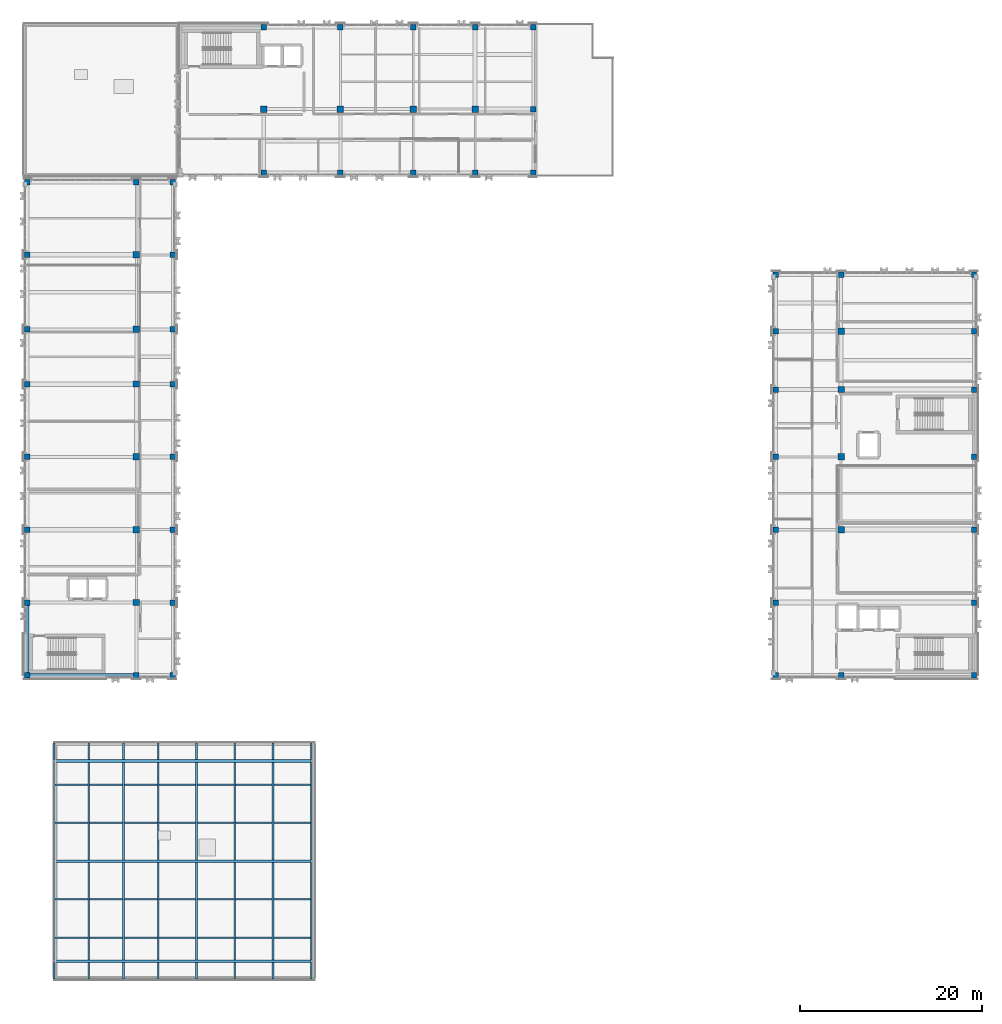
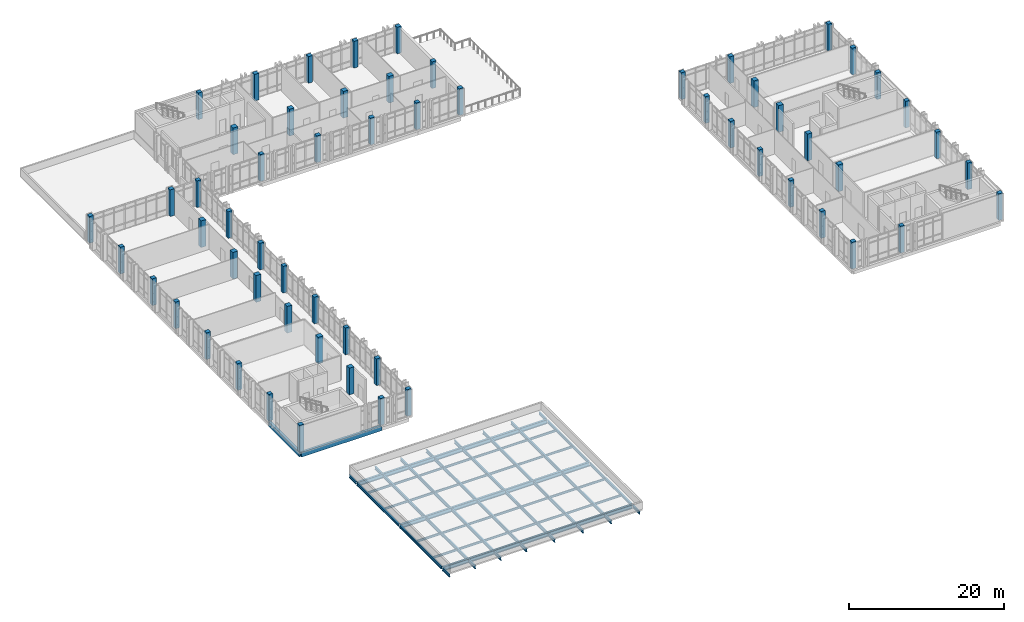
# One storey, part 1 of 90: 65 beams, 59 columns.
"""IFC4 building model written with IfcOpenShell, lengths in metres."""

import ifcopenshell
import ifcopenshell.guid

model = None  # the IFC model being written
_history = None  # IfcOwnerHistory: only IFC2X3 demands one
_inside = {}  # id of a spatial element -> (the spatial element, [elements in it])
_under = {}  # id of a project, library or spatial element -> (it, [spatial elements below it])
_declared = {}  # id of a project -> (the project, [libraries it declares])
_typed = {}  # id of a type object -> (the type object, [elements of that type])
_made_of = {}  # id of a material, layer set ... -> (it, [elements and type objects made of it])


def new_model(schema):
    """Start an empty IFC model of exactly this schema.

    Asked for "IFC4X3", IfcOpenShell would pick the latest addendum, in which some entities
    have other attributes; the version numbers below select the first issue.
    IFC2X3 requires an IfcOwnerHistory on every rooted entity: one is made here for all.
    """
    global model, _history
    if schema == "IFC4X3":
        model = ifcopenshell.file(schema_version=(4, 3, 0, 0))
    else:
        model = ifcopenshell.file(schema=schema)
    _inside.clear()
    _under.clear()
    _declared.clear()
    _typed.clear()
    _made_of.clear()
    _history = None
    if model.schema == "IFC2X3":
        org = make("IfcOrganization", Name="unknown")
        user = make(
            "IfcPersonAndOrganization",
            ThePerson=make("IfcPerson", FamilyName="unknown"),
            TheOrganization=org,
        )
        app = make(
            "IfcApplication",
            ApplicationDeveloper=org,
            Version="unknown",
            ApplicationFullName="unknown",
            ApplicationIdentifier="unknown",
        )
        _history = make(
            "IfcOwnerHistory",
            OwningUser=user,
            OwningApplication=app,
            ChangeAction="ADDED",
            CreationDate=0,
        )
    return model


def make(cls, **values):
    """One entity of the class cls with the attributes given. An attribute that is None is left unset."""
    return model.create_entity(
        cls, **{name: value for name, value in values.items() if value is not None}
    )


def rooted(cls, **values):
    """An entity with a GlobalId (a new one), such as an element, a storey or a relation."""
    return make(cls, GlobalId=ifcopenshell.guid.new(), OwnerHistory=_history, **values)


def si_unit(unit_type, name, prefix=None):
    """IfcSIUnit, for example si_unit("LENGTHUNIT", "METRE", prefix="MILLI")."""
    return make("IfcSIUnit", UnitType=unit_type, Prefix=prefix, Name=name)


def assignment(units):
    """IfcUnitAssignment: the units of a project."""
    return None if units is None else make("IfcUnitAssignment", Units=units)


def point(xyz):
    """IfcCartesianPoint."""
    return None if xyz is None else make("IfcCartesianPoint", Coordinates=xyz)


def direction(xyz):
    """IfcDirection."""
    return None if xyz is None else make("IfcDirection", DirectionRatios=xyz)


def frame(location, z_axis=None, x_axis=None):
    """IfcAxis2Placement3D, a coordinate frame: its origin and axes. An axis left out is left unset."""
    return make(
        "IfcAxis2Placement3D",
        Location=point(location),
        Axis=direction(z_axis),
        RefDirection=direction(x_axis),
    )


def frame_2d(location, x_axis=None):
    """IfcAxis2Placement2D, a coordinate frame in the plane: its origin and x axis."""
    return make(
        "IfcAxis2Placement2D", Location=point(location), RefDirection=direction(x_axis)
    )


def origin():
    """The frame at (0, 0, 0) with its axes left unset."""
    return frame((0.0, 0.0, 0.0))


def origin_2d():
    """The frame at (0, 0) in the plane with its x axis left unset."""
    return frame_2d((0.0, 0.0))


def place(relative_to, where):
    """IfcLocalPlacement: puts the frame where relative to a parent placement (None: the world)."""
    return make(
        "IfcLocalPlacement", PlacementRelTo=relative_to, RelativePlacement=where
    )


def context(
    kind, dimensions, precision=None, world=None, true_north=None, identifier=None
):
    """IfcGeometricRepresentationContext, for example the 3D "Model" context."""
    return make(
        "IfcGeometricRepresentationContext",
        ContextIdentifier=identifier,
        ContextType=kind,
        CoordinateSpaceDimension=dimensions,
        Precision=precision,
        WorldCoordinateSystem=world,
        TrueNorth=true_north,
    )


def subcontext(parent, identifier, kind, view, scale=None):
    """IfcGeometricRepresentationSubContext, for example "Body" below "Model"."""
    return make(
        "IfcGeometricRepresentationSubContext",
        ContextIdentifier=identifier,
        ContextType=kind,
        ParentContext=parent,
        TargetScale=scale,
        TargetView=view,
    )


def project(units=None, contexts=None):
    """IfcProject with its units and contexts."""
    return rooted(
        "IfcProject",
        Name="project",
        RepresentationContexts=contexts,
        UnitsInContext=assignment(units),
    )


def spatial(cls, under=None, at=None, **own):
    """A site, building, storey or space (cls), placed at a placement, below another one or the project."""
    s = rooted(cls, ObjectPlacement=at, **own)
    if under is not None:
        _under.setdefault(under.id(), (under, []))[1].append(s)
    return s


def profile(cls, at=None, kind="AREA", **sizes):
    """A parametric profile (cls). Its sizes go by their IFC names, for example OverallWidth=200.0."""
    return make(cls, ProfileType=kind, Position=at, **sizes)


def rectangle(**sizes):
    """IfcRectangleProfileDef."""
    return profile("IfcRectangleProfileDef", **sizes)


def i_section(**sizes):
    """IfcIShapeProfileDef."""
    return profile("IfcIShapeProfileDef", **sizes)


def extrude(swept, where, along, depth):
    """IfcExtrudedAreaSolid: the profile swept, set in the frame where, extruded along a direction by depth."""
    return make(
        "IfcExtrudedAreaSolid",
        SweptArea=swept,
        Position=where,
        ExtrudedDirection=direction(along),
        Depth=depth,
    )


def shape(context_of_items, identifier, shape_type, items):
    """IfcShapeRepresentation: the items that make up one representation, for example the "Body"."""
    return make(
        "IfcShapeRepresentation",
        ContextOfItems=context_of_items,
        RepresentationIdentifier=identifier,
        RepresentationType=shape_type,
        Items=items,
    )


def material(Name=None, Category=None):
    """IfcMaterial."""
    return make("IfcMaterial", Name=Name, Category=Category)


def material_profile(
    of_material, cross_section, Name=None, Category=None, Priority=None
):
    """IfcMaterialProfile: a cross section and its material."""
    return make(
        "IfcMaterialProfile",
        Name=Name,
        Material=of_material,
        Profile=cross_section,
        Priority=Priority,
        Category=Category,
    )


def profile_set(profiles, Name=None, composite=None):
    """IfcMaterialProfileSet."""
    return make(
        "IfcMaterialProfileSet",
        Name=Name,
        MaterialProfiles=profiles,
        CompositeProfile=composite,
    )


def made_of(thing, what):
    """Note that an element or type object is made of a material, layer set ...; save() writes the relation."""
    if what is not None:
        _made_of.setdefault(what.id(), (what, []))[1].append(thing)
    return thing


def type_object(cls, material=None, **own):
    """A type object (cls), such as IfcWallType, which elements share."""
    return made_of(rooted(cls, **own), material)


def element(
    cls,
    number,
    at=None,
    inside=None,
    cuts=None,
    type_object=None,
    material=None,
    context=None,
    identifier="Body",
    shape_type=None,
    held_by="IfcProductDefinitionShape",
    body=None,
    shapes=None,
    **own,
):
    """One element of the class cls, such as IfcWall. Its Tag is "e" and its number.

    at: its placement. inside: the storey or other place that contains it. cuts: it is an
    opening in that element (IfcRelVoidsElement). A single representation is given by context,
    identifier, shape_type and body (its items); several are given by shapes. held_by: the class
    of the entity that holds the representations. save() writes the other relations.
    """
    e = rooted(cls, Tag="e%d" % number, ObjectPlacement=at, **own)
    if body is not None:
        shapes = [shape(context, identifier, shape_type, body)]
    if shapes is not None:
        e.Representation = make(held_by, Representations=shapes)
    if inside is not None:
        _inside.setdefault(inside.id(), (inside, []))[1].append(e)
    if cuts is not None:
        rooted(
            "IfcRelVoidsElement", RelatingBuildingElement=cuts, RelatedOpeningElement=e
        )
    if type_object is not None:
        _typed.setdefault(type_object.id(), (type_object, []))[1].append(e)
    return made_of(e, material)


def aggregate(whole, parts):
    """IfcRelAggregates: a whole, such as a stair, and the parts it consists of."""
    return rooted("IfcRelAggregates", RelatingObject=whole, RelatedObjects=parts)


def save(model, path):
    """Write the relations noted so far, then the file.

    IfcRelAggregates (storeys below a building ...), IfcRelContainedInSpatialStructure (elements
    in a storey), IfcRelDefinesByType, IfcRelAssociatesMaterial and IfcRelDeclares: one each for
    every whole, place, type object, material and project.
    """
    for whole, parts in _under.values():
        aggregate(whole, parts)
    for where, things in _inside.values():
        rooted(
            "IfcRelContainedInSpatialStructure",
            RelatedElements=things,
            RelatingStructure=where,
        )
    for kind, things in _typed.values():
        rooted("IfcRelDefinesByType", RelatedObjects=things, RelatingType=kind)
    for what, things in _made_of.values():
        rooted("IfcRelAssociatesMaterial", RelatedObjects=things, RelatingMaterial=what)
    for by, libraries in _declared.values():
        rooted("IfcRelDeclares", RelatingContext=by, RelatedDefinitions=libraries)
    model.write(path)


model = new_model("IFC4")

# Units and contexts
model_context = context("Model", 3, precision=1e-05, world=origin(), true_north=direction((0.0, 1.0)))
body_context = subcontext(model_context, "Body", "Model", "MODEL_VIEW")
ifc_project = project(units=[si_unit("LENGTHUNIT", "METRE"), si_unit("AREAUNIT", "SQUARE_METRE"), si_unit("VOLUMEUNIT", "CUBIC_METRE"), si_unit("PLANEANGLEUNIT", "RADIAN"), si_unit("MASSUNIT", "GRAM", prefix="KILO")], contexts=[model_context])

# Site, building, storey
site_placement = place(None, origin())
site = spatial("IfcSite", under=ifc_project, at=site_placement, CompositionType="ELEMENT")
building_placement = place(site_placement, origin())
building = spatial("IfcBuilding", under=site, at=building_placement, Name="Qalavern Law Courts", CompositionType="ELEMENT")
storey_placement = place(building_placement, frame((0.0, 0.0, 22.800048828125)))
storey = spatial("IfcBuildingStorey", under=building, at=storey_placement, Name="L05", CompositionType="ELEMENT", Elevation=22.800048828125)

# Columns
ifc_material_1 = material(Name="Concrete C45/55", Category="concrete")
ifc_material_profile_1 = material_profile(ifc_material_1, rectangle(XDim=0.60009765625, YDim=0.60009765625, at=origin_2d()), Name="RC 600x600")
ifc_profile_set_1 = profile_set([ifc_material_profile_1], Name="Concrete C45/55")
column_type_1 = type_object("IfcColumnType", Name="STR-COL-RC600E", PredefinedType="COLUMN", material=ifc_profile_set_1)
for number, where, z_axis, x_axis, name in (
    (1, (2.39990234375, 41.419921875, 0.0), (0.0, 0.0, 1.0), (1.0, 0.0, 0.0), "V3 column 1-1 L05"),
    (2, (2.39990234375, 49.39990234375, 0.0), (0.0, 0.0, 1.0), (1.0, 0.0, 0.0), "V3 column 1-2 L05"),
    (3, (2.39990234375, 57.39990234375, 0.0), (0.0, 0.0, 1.0), (1.0, 0.0, 0.0), "V3 column 1-3 L05"),
    (4, (2.39990234375, 65.39990234375, 0.0), (0.0, 0.0, 1.0), (1.0, 0.0, 0.0), "V3 column 1-4 L05"),
    (5, (2.39990234375, 73.39990234375, 0.0), (0.0, 0.0, 1.0), (1.0, 0.0, 0.0), "V3 column 1-5 L05"),
    (6, (2.39990234375, 79.39990234375, 0.0), (0.0, 0.0, 1.0), (1.0, 0.0, 0.0), "V3 column 1-6 L05"),
    (7, (2.39990234375, 87.60009765625, 0.0), (0.0, 0.0, 1.0), (1.0, 0.0, 0.0), "V3 column 1-7 L05"),
    (8, (2.39990234375, 95.580078125, 0.0), (0.0, 0.0, 1.0), (1.0, 0.0, 0.0), "V3 column 1-8 L05"),
    (9, (14.39990234375, 41.419921875, 0.0), (0.0, 0.0, 1.0), (1.0, 0.0, 0.0), "V3 column 2-1 L05"),
    (10, (14.39990234375, 95.580078125, 0.0), (0.0, 0.0, 1.0), (1.0, 0.0, 0.0), "V3 column 2-8 L05"),
    (11, (18.39990234375, 41.419921875, 0.0), (0.0, 0.0, 1.0), (1.0, 0.0, 0.0), "V3 column 3-1 L05"),
    (12, (18.39990234375, 49.39990234375, 0.0), (0.0, 0.0, 1.0), (1.0, 0.0, 0.0), "V3 column 3-2 L05"),
    (13, (18.39990234375, 57.39990234375, 0.0), (0.0, 0.0, 1.0), (1.0, 0.0, 0.0), "V3 column 3-3 L05"),
    (14, (18.39990234375, 65.39990234375, 0.0), (0.0, 0.0, 1.0), (1.0, 0.0, 0.0), "V3 column 3-4 L05"),
    (15, (18.39990234375, 73.39990234375, 0.0), (0.0, 0.0, 1.0), (1.0, 0.0, 0.0), "V3 column 3-5 L05"),
    (16, (18.39990234375, 79.39990234375, 0.0), (0.0, 0.0, 1.0), (1.0, 0.0, 0.0), "V3 column 3-6 L05"),
    (17, (18.39990234375, 87.60009765625, 0.0), (0.0, 0.0, 1.0), (1.0, 0.0, 0.0), "V3 column 3-7 L05"),
    (18, (18.39990234375, 95.580078125, 0.0), (0.0, 0.0, 1.0), (1.0, 0.0, 0.0), "V3 column 3-8 L05"),
    (19, (84.60009765625, 41.419921875, 0.0), (0.0, 0.0, 1.0), (1.0, 0.0, 0.0), "V4 column 1-1 L05"),
    (20, (84.60009765625, 49.39990234375, 0.0), (0.0, 0.0, 1.0), (1.0, 0.0, 0.0), "V4 column 1-2 L05"),
    (21, (84.60009765625, 57.39990234375, 0.0), (0.0, 0.0, 1.0), (1.0, 0.0, 0.0), "V4 column 1-3 L05"),
    (22, (84.60009765625, 65.39990234375, 0.0), (0.0, 0.0, 1.0), (1.0, 0.0, 0.0), "V4 column 1-4 L05"),
    (23, (84.60009765625, 72.800048828125, 0.0), (0.0, 0.0, 1.0), (1.0, 0.0, 0.0), "V4 column 1-5 L05"),
    (24, (84.60009765625, 79.199951171875, 0.0), (0.0, 0.0, 1.0), (1.0, 0.0, 0.0), "V4 column 1-6 L05"),
    (25, (84.60009765625, 85.39990234375, 0.0), (0.0, 0.0, 1.0), (1.0, 0.0, 0.0), "V4 column 1-7 L05"),
    (26, (91.800048828125, 41.419921875, 0.0), (0.0, 0.0, 1.0), (1.0, 0.0, 0.0), "V4 column 2-1 L05"),
    (27, (91.800048828125, 85.39990234375, 0.0), (0.0, 0.0, 1.0), (1.0, 0.0, 0.0), "V4 column 2-7 L05"),
    (28, (106.39990234375, 41.419921875, 0.0), (0.0, 0.0, 1.0), (1.0, 0.0, 0.0), "V4 column 3-1 L05"),
    (29, (106.39990234375, 49.39990234375, 0.0), (0.0, 0.0, 1.0), (1.0, 0.0, 0.0), "V4 column 3-2 L05"),
    (30, (106.39990234375, 57.39990234375, 0.0), (0.0, 0.0, 1.0), (1.0, 0.0, 0.0), "V4 column 3-3 L05"),
    (31, (106.39990234375, 65.39990234375, 0.0), (0.0, 0.0, 1.0), (1.0, 0.0, 0.0), "V4 column 3-4 L05"),
    (32, (106.39990234375, 72.800048828125, 0.0), (0.0, 0.0, 1.0), (1.0, 0.0, 0.0), "V4 column 3-5 L05"),
    (33, (106.39990234375, 79.199951171875, 0.0), (0.0, 0.0, 1.0), (1.0, 0.0, 0.0), "V4 column 3-6 L05"),
    (34, (106.39990234375, 85.39990234375, 0.0), (0.0, 0.0, 1.0), (1.0, 0.0, 0.0), "V4 column 3-7 L05"),
    (35, (28.39990234375, 96.60009765625, 0.0), (0.0, 0.0, 1.0), (1.0, 0.0, 0.0), "V5 column 4-1 L05"),
    (36, (28.39990234375, 112.60009765625, 0.0), (0.0, 0.0, 1.0), (1.0, 0.0, 0.0), "V5 column 4-3 L05"),
    (37, (36.800048828125, 96.60009765625, 0.0), (0.0, 0.0, 1.0), (1.0, 0.0, 0.0), "V5 column 5-1 L05"),
    (38, (36.800048828125, 112.60009765625, 0.0), (0.0, 0.0, 1.0), (1.0, 0.0, 0.0), "V5 column 5-3 L05"),
    (39, (44.800048828125, 96.60009765625, 0.0), (0.0, 0.0, 1.0), (1.0, 0.0, 0.0), "V5 column 6-1 L05"),
    (40, (44.800048828125, 112.60009765625, 0.0), (0.0, 0.0, 1.0), (1.0, 0.0, 0.0), "V5 column 6-3 L05"),
    (41, (51.60009765625, 96.60009765625, 0.0), (0.0, 0.0, 1.0), (1.0, 0.0, 0.0), "V5 column 7-1 L05"),
    (42, (51.60009765625, 112.60009765625, 0.0), (0.0, 0.0, 1.0), (1.0, 0.0, 0.0), "V5 column 7-3 L05"),
    (43, (58.0, 96.60009765625, 0.0), (0.0, 0.0, 1.0), (1.0, 0.0, 0.0), "V5 column 8-1 L05"),
    (44, (58.0, 103.60009765625, 0.0), (0.0, 0.0, 1.0), (1.0, 0.0, 0.0), "V5 column 8-2 L05"),
    (45, (58.0, 112.60009765625, 0.0), (0.0, 0.0, 1.0), (1.0, 0.0, 0.0), "V5 column 8-3 L05"),
):
    element("IfcColumn", number, at=place(storey_placement, frame(where, z_axis=z_axis, x_axis=x_axis)), inside=storey, type_object=column_type_1, Name=name, PredefinedType="COLUMN", context=body_context, shape_type="SweptSolid", body=[
        extrude(rectangle(XDim=0.60009765625, YDim=0.60009765625, at=origin_2d()), origin(), (0.0, 0.0, 1.0), 4.199951171875),
    ])
ifc_material_profile_2 = material_profile(ifc_material_1, rectangle(XDim=0.699951171875, YDim=0.699951171875, at=origin_2d()), Name="RC 700x700")
ifc_profile_set_2 = profile_set([ifc_material_profile_2], Name="Concrete C45/55")
column_type_2 = type_object("IfcColumnType", Name="STR-COL-RC700", PredefinedType="COLUMN", material=ifc_profile_set_2)
for number, where, z_axis, x_axis, name in (
    (46, (14.39990234375, 49.39990234375, 0.0), (0.0, 0.0, 1.0), (1.0, 0.0, 0.0), "V3 column 2-2 L05"),
    (47, (14.39990234375, 57.39990234375, 0.0), (0.0, 0.0, 1.0), (1.0, 0.0, 0.0), "V3 column 2-3 L05"),
    (48, (14.39990234375, 65.39990234375, 0.0), (0.0, 0.0, 1.0), (1.0, 0.0, 0.0), "V3 column 2-4 L05"),
    (49, (14.39990234375, 73.39990234375, 0.0), (0.0, 0.0, 1.0), (1.0, 0.0, 0.0), "V3 column 2-5 L05"),
    (50, (14.39990234375, 79.39990234375, 0.0), (0.0, 0.0, 1.0), (1.0, 0.0, 0.0), "V3 column 2-6 L05"),
    (51, (14.39990234375, 87.60009765625, 0.0), (0.0, 0.0, 1.0), (1.0, 0.0, 0.0), "V3 column 2-7 L05"),
    (52, (91.800048828125, 57.39990234375, 0.0), (0.0, 0.0, 1.0), (1.0, 0.0, 0.0), "V4 column 2-3 L05"),
    (53, (91.800048828125, 65.39990234375, 0.0), (0.0, 0.0, 1.0), (1.0, 0.0, 0.0), "V4 column 2-4 L05"),
    (54, (91.800048828125, 72.800048828125, 0.0), (0.0, 0.0, 1.0), (1.0, 0.0, 0.0), "V4 column 2-5 L05"),
    (55, (91.800048828125, 79.199951171875, 0.0), (0.0, 0.0, 1.0), (1.0, 0.0, 0.0), "V4 column 2-6 L05"),
    (56, (28.39990234375, 103.60009765625, 0.0), (0.0, 0.0, 1.0), (1.0, 0.0, 0.0), "V5 column 4-2 L05"),
    (57, (36.800048828125, 103.60009765625, 0.0), (0.0, 0.0, 1.0), (1.0, 0.0, 0.0), "V5 column 5-2 L05"),
    (58, (44.800048828125, 103.60009765625, 0.0), (0.0, 0.0, 1.0), (1.0, 0.0, 0.0), "V5 column 6-2 L05"),
    (59, (51.60009765625, 103.60009765625, 0.0), (0.0, 0.0, 1.0), (1.0, 0.0, 0.0), "V5 column 7-2 L05"),
):
    element("IfcColumn", number, at=place(storey_placement, frame(where, z_axis=z_axis, x_axis=x_axis)), inside=storey, type_object=column_type_2, Name=name, PredefinedType="COLUMN", context=body_context, shape_type="SweptSolid", body=[
        extrude(rectangle(XDim=0.699951171875, YDim=0.699951171875, at=origin_2d()), origin(), (0.0, 0.0, 1.0), 4.199951171875),
    ])

# Beams
ifc_material_2 = material(Name="Steel S355", Category="steel")
ifc_material_profile_3 = material_profile(ifc_material_2, i_section(OverallWidth=0.199951171875, OverallDepth=0.5, WebThickness=0.01025390625, FlangeThickness=0.01611328125, FilletRadius=0.02099609375, at=origin_2d()), Name="IPE 500")
ifc_profile_set_3 = profile_set([ifc_material_profile_3], Name="Steel S355")
beam_type_1 = type_object("IfcBeamType", Name="STR-BM-IPE500", PredefinedType="BEAM", material=ifc_profile_set_3)
beam_1_placement = place(storey_placement, frame((29.39990234375, 8.050048828125, -0.546142578125), z_axis=(0.0, 1.0, 0.0), x_axis=(-1.0, 0.0, 0.0)))
element("IfcBeam", 60, at=beam_1_placement, inside=storey, type_object=beam_type_1, Name="Foyer transverse beam L05-2.1", PredefinedType="BEAM", context=body_context, shape_type="SweptSolid", body=[
    extrude(i_section(OverallWidth=0.199951171875, OverallDepth=0.5, WebThickness=0.01025390625, FlangeThickness=0.01611328125, FilletRadius=0.02099609375, at=origin_2d()), origin(), (0.0, 0.0, 1.0), 1.802001953125),
])
for number, where, z_axis, x_axis, name in (
    (61, (29.39990234375, 10.14794921875, -0.546142578125), (0.0, 1.0, 0.0), (-1.0, 0.0, 0.0), "Foyer transverse beam L05-2.2"),
    (62, (29.39990234375, 21.14794921875, -0.546142578125), (0.0, 1.0, 0.0), (-1.0, 0.0, 0.0), "Foyer transverse beam L05-2.3"),
):
    element("IfcBeam", number, at=place(storey_placement, frame(where, z_axis=z_axis, x_axis=x_axis)), inside=storey, type_object=beam_type_1, Name=name, PredefinedType="BEAM", context=body_context, shape_type="SweptSolid", body=[
        extrude(i_section(OverallWidth=0.199951171875, OverallDepth=0.5, WebThickness=0.01025390625, FlangeThickness=0.01611328125, FilletRadius=0.02099609375, at=origin_2d()), origin(), (0.0, 0.0, 1.0), 10.7041015625),
    ])
for number, where, z_axis, x_axis, name in (
    (63, (29.39990234375, 32.14794921875, -0.546142578125), (0.0, 1.0, 0.0), (-1.0, 0.0, 0.0), "Foyer transverse beam L05-2.4"),
    (64, (25.199951171875, 8.050048828125, -0.546142578125), (0.0, 1.0, 0.0), (-1.0, 0.0, 0.0), "Foyer transverse beam L05-3.1"),
):
    element("IfcBeam", number, at=place(storey_placement, frame(where, z_axis=z_axis, x_axis=x_axis)), inside=storey, type_object=beam_type_1, Name=name, PredefinedType="BEAM", context=body_context, shape_type="SweptSolid", body=[
        extrude(i_section(OverallWidth=0.199951171875, OverallDepth=0.5, WebThickness=0.01025390625, FlangeThickness=0.01611328125, FilletRadius=0.02099609375, at=origin_2d()), origin(), (0.0, 0.0, 1.0), 1.802001953125),
    ])
for number, where, z_axis, x_axis, name in (
    (65, (25.199951171875, 10.14794921875, -0.546142578125), (0.0, 1.0, 0.0), (-1.0, 0.0, 0.0), "Foyer transverse beam L05-3.2"),
    (66, (25.199951171875, 21.14794921875, -0.546142578125), (0.0, 1.0, 0.0), (-1.0, 0.0, 0.0), "Foyer transverse beam L05-3.3"),
):
    element("IfcBeam", number, at=place(storey_placement, frame(where, z_axis=z_axis, x_axis=x_axis)), inside=storey, type_object=beam_type_1, Name=name, PredefinedType="BEAM", context=body_context, shape_type="SweptSolid", body=[
        extrude(i_section(OverallWidth=0.199951171875, OverallDepth=0.5, WebThickness=0.01025390625, FlangeThickness=0.01611328125, FilletRadius=0.02099609375, at=origin_2d()), origin(), (0.0, 0.0, 1.0), 10.7041015625),
    ])
for number, where, z_axis, x_axis, name in (
    (67, (25.199951171875, 32.14794921875, -0.546142578125), (0.0, 1.0, 0.0), (-1.0, 0.0, 0.0), "Foyer transverse beam L05-3.4"),
    (68, (21.0, 8.050048828125, -0.546142578125), (0.0, 1.0, 0.0), (-1.0, 0.0, 0.0), "Foyer transverse beam L05-4.1"),
):
    element("IfcBeam", number, at=place(storey_placement, frame(where, z_axis=z_axis, x_axis=x_axis)), inside=storey, type_object=beam_type_1, Name=name, PredefinedType="BEAM", context=body_context, shape_type="SweptSolid", body=[
        extrude(i_section(OverallWidth=0.199951171875, OverallDepth=0.5, WebThickness=0.01025390625, FlangeThickness=0.01611328125, FilletRadius=0.02099609375, at=origin_2d()), origin(), (0.0, 0.0, 1.0), 1.802001953125),
    ])
for number, where, z_axis, x_axis, name in (
    (69, (21.0, 10.14794921875, -0.546142578125), (0.0, 1.0, 0.0), (-1.0, 0.0, 0.0), "Foyer transverse beam L05-4.2"),
    (70, (21.0, 21.14794921875, -0.546142578125), (0.0, 1.0, 0.0), (-1.0, 0.0, 0.0), "Foyer transverse beam L05-4.3"),
):
    element("IfcBeam", number, at=place(storey_placement, frame(where, z_axis=z_axis, x_axis=x_axis)), inside=storey, type_object=beam_type_1, Name=name, PredefinedType="BEAM", context=body_context, shape_type="SweptSolid", body=[
        extrude(i_section(OverallWidth=0.199951171875, OverallDepth=0.5, WebThickness=0.01025390625, FlangeThickness=0.01611328125, FilletRadius=0.02099609375, at=origin_2d()), origin(), (0.0, 0.0, 1.0), 10.7041015625),
    ])
for number, where, z_axis, x_axis, name in (
    (71, (21.0, 32.14794921875, -0.546142578125), (0.0, 1.0, 0.0), (-1.0, 0.0, 0.0), "Foyer transverse beam L05-4.4"),
    (72, (16.800048828125, 8.050048828125, -0.546142578125), (0.0, 1.0, 0.0), (-1.0, 0.0, 0.0), "Foyer transverse beam L05-5.1"),
):
    element("IfcBeam", number, at=place(storey_placement, frame(where, z_axis=z_axis, x_axis=x_axis)), inside=storey, type_object=beam_type_1, Name=name, PredefinedType="BEAM", context=body_context, shape_type="SweptSolid", body=[
        extrude(i_section(OverallWidth=0.199951171875, OverallDepth=0.5, WebThickness=0.01025390625, FlangeThickness=0.01611328125, FilletRadius=0.02099609375, at=origin_2d()), origin(), (0.0, 0.0, 1.0), 1.802001953125),
    ])
for number, where, z_axis, x_axis, name in (
    (73, (16.800048828125, 10.14794921875, -0.546142578125), (0.0, 1.0, 0.0), (-1.0, 0.0, 0.0), "Foyer transverse beam L05-5.2"),
    (74, (16.800048828125, 21.14794921875, -0.546142578125), (0.0, 1.0, 0.0), (-1.0, 0.0, 0.0), "Foyer transverse beam L05-5.3"),
):
    element("IfcBeam", number, at=place(storey_placement, frame(where, z_axis=z_axis, x_axis=x_axis)), inside=storey, type_object=beam_type_1, Name=name, PredefinedType="BEAM", context=body_context, shape_type="SweptSolid", body=[
        extrude(i_section(OverallWidth=0.199951171875, OverallDepth=0.5, WebThickness=0.01025390625, FlangeThickness=0.01611328125, FilletRadius=0.02099609375, at=origin_2d()), origin(), (0.0, 0.0, 1.0), 10.7041015625),
    ])
for number, where, z_axis, x_axis, name in (
    (75, (16.800048828125, 32.14794921875, -0.546142578125), (0.0, 1.0, 0.0), (-1.0, 0.0, 0.0), "Foyer transverse beam L05-5.4"),
    (76, (12.9833984375, 8.050048828125, -0.546142578125), (0.0, 1.0, 0.0), (-1.0, 0.0, 0.0), "Foyer transverse beam L05-6.1"),
):
    element("IfcBeam", number, at=place(storey_placement, frame(where, z_axis=z_axis, x_axis=x_axis)), inside=storey, type_object=beam_type_1, Name=name, PredefinedType="BEAM", context=body_context, shape_type="SweptSolid", body=[
        extrude(i_section(OverallWidth=0.199951171875, OverallDepth=0.5, WebThickness=0.01025390625, FlangeThickness=0.01611328125, FilletRadius=0.02099609375, at=origin_2d()), origin(), (0.0, 0.0, 1.0), 1.802001953125),
    ])
for number, where, z_axis, x_axis, name in (
    (77, (12.9833984375, 10.14794921875, -0.546142578125), (0.0, 1.0, 0.0), (-1.0, 0.0, 0.0), "Foyer transverse beam L05-6.2"),
    (78, (12.9833984375, 21.14794921875, -0.546142578125), (0.0, 1.0, 0.0), (-1.0, 0.0, 0.0), "Foyer transverse beam L05-6.3"),
):
    element("IfcBeam", number, at=place(storey_placement, frame(where, z_axis=z_axis, x_axis=x_axis)), inside=storey, type_object=beam_type_1, Name=name, PredefinedType="BEAM", context=body_context, shape_type="SweptSolid", body=[
        extrude(i_section(OverallWidth=0.199951171875, OverallDepth=0.5, WebThickness=0.01025390625, FlangeThickness=0.01611328125, FilletRadius=0.02099609375, at=origin_2d()), origin(), (0.0, 0.0, 1.0), 10.7041015625),
    ])
for number, where, z_axis, x_axis, name in (
    (79, (12.9833984375, 32.14794921875, -0.546142578125), (0.0, 1.0, 0.0), (-1.0, 0.0, 0.0), "Foyer transverse beam L05-6.4"),
    (80, (9.166748046875, 8.050048828125, -0.546142578125), (0.0, 1.0, 0.0), (-1.0, 0.0, 0.0), "Foyer transverse beam L05-7.1"),
):
    element("IfcBeam", number, at=place(storey_placement, frame(where, z_axis=z_axis, x_axis=x_axis)), inside=storey, type_object=beam_type_1, Name=name, PredefinedType="BEAM", context=body_context, shape_type="SweptSolid", body=[
        extrude(i_section(OverallWidth=0.199951171875, OverallDepth=0.5, WebThickness=0.01025390625, FlangeThickness=0.01611328125, FilletRadius=0.02099609375, at=origin_2d()), origin(), (0.0, 0.0, 1.0), 1.802001953125),
    ])
for number, where, z_axis, x_axis, name in (
    (81, (9.166748046875, 10.14794921875, -0.546142578125), (0.0, 1.0, 0.0), (-1.0, 0.0, 0.0), "Foyer transverse beam L05-7.2"),
    (82, (9.166748046875, 21.14794921875, -0.546142578125), (0.0, 1.0, 0.0), (-1.0, 0.0, 0.0), "Foyer transverse beam L05-7.3"),
):
    element("IfcBeam", number, at=place(storey_placement, frame(where, z_axis=z_axis, x_axis=x_axis)), inside=storey, type_object=beam_type_1, Name=name, PredefinedType="BEAM", context=body_context, shape_type="SweptSolid", body=[
        extrude(i_section(OverallWidth=0.199951171875, OverallDepth=0.5, WebThickness=0.01025390625, FlangeThickness=0.01611328125, FilletRadius=0.02099609375, at=origin_2d()), origin(), (0.0, 0.0, 1.0), 10.7041015625),
    ])
beam_2_placement = place(storey_placement, frame((9.166748046875, 32.14794921875, -0.546142578125), z_axis=(0.0, 1.0, 0.0), x_axis=(-1.0, 0.0, 0.0)))
element("IfcBeam", 83, at=beam_2_placement, inside=storey, type_object=beam_type_1, Name="Foyer transverse beam L05-7.4", PredefinedType="BEAM", context=body_context, shape_type="SweptSolid", body=[
    extrude(i_section(OverallWidth=0.199951171875, OverallDepth=0.5, WebThickness=0.01025390625, FlangeThickness=0.01611328125, FilletRadius=0.02099609375, at=origin_2d()), origin(), (0.0, 0.0, 1.0), 1.802001953125),
])
ifc_material_profile_4 = material_profile(ifc_material_2, i_section(OverallWidth=0.159912109375, OverallDepth=0.330078125, WebThickness=0.007568359375, FlangeThickness=0.011474609375, FilletRadius=0.01806640625, at=origin_2d()), Name="IPE 330")
ifc_profile_set_4 = profile_set([ifc_material_profile_4], Name="Steel S355")
beam_type_2 = type_object("IfcBeamType", Name="STR-JST-IPE330", PredefinedType="JOIST", material=ifc_profile_set_4)
for number, where, z_axis, x_axis, name in (
    (84, (29.498046875, 12.60009765625, -0.4609375), (1.0, 0.0, 0.0), (0.0, 1.0, 0.0), "Foyer floor joist L05-1.1"),
    (85, (29.498046875, 16.800048828125, -0.4609375), (1.0, 0.0, 0.0), (0.0, 1.0, 0.0), "Foyer floor joist L05-1.2"),
    (86, (29.498046875, 25.199951171875, -0.4609375), (1.0, 0.0, 0.0), (0.0, 1.0, 0.0), "Foyer floor joist L05-1.3"),
    (87, (29.498046875, 29.39990234375, -0.4609375), (1.0, 0.0, 0.0), (0.0, 1.0, 0.0), "Foyer floor joist L05-1.4"),
    (88, (25.298095703125, 12.60009765625, -0.4609375), (1.0, 0.0, 0.0), (0.0, 1.0, 0.0), "Foyer floor joist L05-2.1"),
    (89, (25.298095703125, 16.800048828125, -0.4609375), (1.0, 0.0, 0.0), (0.0, 1.0, 0.0), "Foyer floor joist L05-2.2"),
    (90, (25.298095703125, 25.199951171875, -0.4609375), (1.0, 0.0, 0.0), (0.0, 1.0, 0.0), "Foyer floor joist L05-2.3"),
    (91, (25.298095703125, 29.39990234375, -0.4609375), (1.0, 0.0, 0.0), (0.0, 1.0, 0.0), "Foyer floor joist L05-2.4"),
):
    element("IfcBeam", number, at=place(storey_placement, frame(where, z_axis=z_axis, x_axis=x_axis)), inside=storey, type_object=beam_type_2, Name=name, PredefinedType="JOIST", context=body_context, shape_type="SweptSolid", body=[
        extrude(i_section(OverallWidth=0.159912109375, OverallDepth=0.330078125, WebThickness=0.007568359375, FlangeThickness=0.011474609375, FilletRadius=0.01806640625, at=origin_2d()), origin(), (0.0, 0.0, 1.0), 4.00390625),
    ])
for number, where, z_axis, x_axis, name in (
    (92, (21.097900390625, 12.60009765625, -0.4609375), (1.0, 0.0, 0.0), (0.0, 1.0, 0.0), "Foyer floor joist L05-3.1"),
    (93, (21.097900390625, 16.800048828125, -0.4609375), (1.0, 0.0, 0.0), (0.0, 1.0, 0.0), "Foyer floor joist L05-3.2"),
    (94, (21.097900390625, 25.199951171875, -0.4609375), (1.0, 0.0, 0.0), (0.0, 1.0, 0.0), "Foyer floor joist L05-3.3"),
    (95, (21.097900390625, 29.39990234375, -0.4609375), (1.0, 0.0, 0.0), (0.0, 1.0, 0.0), "Foyer floor joist L05-3.4"),
    (96, (16.89794921875, 12.60009765625, -0.4609375), (1.0, 0.0, 0.0), (0.0, 1.0, 0.0), "Foyer floor joist L05-4.1"),
    (97, (16.89794921875, 16.800048828125, -0.4609375), (1.0, 0.0, 0.0), (0.0, 1.0, 0.0), "Foyer floor joist L05-4.2"),
    (98, (16.89794921875, 25.199951171875, -0.4609375), (1.0, 0.0, 0.0), (0.0, 1.0, 0.0), "Foyer floor joist L05-4.3"),
    (99, (16.89794921875, 29.39990234375, -0.4609375), (1.0, 0.0, 0.0), (0.0, 1.0, 0.0), "Foyer floor joist L05-4.4"),
):
    element("IfcBeam", number, at=place(storey_placement, frame(where, z_axis=z_axis, x_axis=x_axis)), inside=storey, type_object=beam_type_2, Name=name, PredefinedType="JOIST", context=body_context, shape_type="SweptSolid", body=[
        extrude(i_section(OverallWidth=0.159912109375, OverallDepth=0.330078125, WebThickness=0.007568359375, FlangeThickness=0.011474609375, FilletRadius=0.01806640625, at=origin_2d()), origin(), (0.0, 0.0, 1.0), 4.004150390625),
    ])
for number, where, z_axis, x_axis, name in (
    (100, (13.081298828125, 12.60009765625, -0.4609375), (1.0, 0.0, 0.0), (0.0, 1.0, 0.0), "Foyer floor joist L05-5.1"),
    (101, (13.081298828125, 16.800048828125, -0.4609375), (1.0, 0.0, 0.0), (0.0, 1.0, 0.0), "Foyer floor joist L05-5.2"),
    (102, (13.081298828125, 25.199951171875, -0.4609375), (1.0, 0.0, 0.0), (0.0, 1.0, 0.0), "Foyer floor joist L05-5.3"),
    (103, (13.081298828125, 29.39990234375, -0.4609375), (1.0, 0.0, 0.0), (0.0, 1.0, 0.0), "Foyer floor joist L05-5.4"),
    (104, (9.2646484375, 12.60009765625, -0.4609375), (1.0, 0.0, 0.0), (0.0, 1.0, 0.0), "Foyer floor joist L05-6.1"),
    (105, (9.2646484375, 16.800048828125, -0.4609375), (1.0, 0.0, 0.0), (0.0, 1.0, 0.0), "Foyer floor joist L05-6.2"),
    (106, (9.2646484375, 25.199951171875, -0.4609375), (1.0, 0.0, 0.0), (0.0, 1.0, 0.0), "Foyer floor joist L05-6.3"),
    (107, (9.2646484375, 29.39990234375, -0.4609375), (1.0, 0.0, 0.0), (0.0, 1.0, 0.0), "Foyer floor joist L05-6.4"),
    (108, (5.447998046875, 12.60009765625, -0.4609375), (1.0, 0.0, 0.0), (0.0, 1.0, 0.0), "Foyer floor joist L05-7.1"),
    (109, (5.447998046875, 16.800048828125, -0.4609375), (1.0, 0.0, 0.0), (0.0, 1.0, 0.0), "Foyer floor joist L05-7.2"),
    (110, (5.447998046875, 25.199951171875, -0.4609375), (1.0, 0.0, 0.0), (0.0, 1.0, 0.0), "Foyer floor joist L05-7.3"),
    (111, (5.447998046875, 29.39990234375, -0.4609375), (1.0, 0.0, 0.0), (0.0, 1.0, 0.0), "Foyer floor joist L05-7.4"),
):
    element("IfcBeam", number, at=place(storey_placement, frame(where, z_axis=z_axis, x_axis=x_axis)), inside=storey, type_object=beam_type_2, Name=name, PredefinedType="JOIST", context=body_context, shape_type="SweptSolid", body=[
        extrude(i_section(OverallWidth=0.159912109375, OverallDepth=0.330078125, WebThickness=0.007568359375, FlangeThickness=0.011474609375, FilletRadius=0.01806640625, at=origin_2d()), origin(), (0.0, 0.0, 1.0), 3.62060546875),
    ])
ifc_material_profile_5 = material_profile(ifc_material_2, i_section(OverallWidth=0.18994140625, OverallDepth=0.449951171875, WebThickness=0.009521484375, FlangeThickness=0.0146484375, FilletRadius=0.02099609375, at=origin_2d()), Name="IPE 450")
ifc_profile_set_5 = profile_set([ifc_material_profile_5], Name="Steel S355")
beam_type_3 = type_object("IfcBeamType", Name="STR-SP-IPE450", PredefinedType="SPANDREL", material=ifc_profile_set_5)
beam_3_placement = place(storey_placement, frame((33.60009765625, 8.050048828125, -0.52099609375), z_axis=(0.0, 1.0, 0.0), x_axis=(-1.0, 0.0, 0.0)))
element("IfcBeam", 112, at=beam_3_placement, inside=storey, type_object=beam_type_3, Name="Foyer transverse beam L05-1.1", PredefinedType="SPANDREL", context=body_context, shape_type="SweptSolid", body=[
    extrude(i_section(OverallWidth=0.18994140625, OverallDepth=0.449951171875, WebThickness=0.009521484375, FlangeThickness=0.0146484375, FilletRadius=0.02099609375, at=origin_2d()), origin(), (0.0, 0.0, 1.0), 1.802001953125),
])
for number, where, z_axis, x_axis, name in (
    (113, (33.60009765625, 10.14794921875, -0.52099609375), (0.0, 1.0, 0.0), (-1.0, 0.0, 0.0), "Foyer transverse beam L05-1.2"),
    (114, (33.60009765625, 21.14794921875, -0.52099609375), (0.0, 1.0, 0.0), (-1.0, 0.0, 0.0), "Foyer transverse beam L05-1.3"),
):
    element("IfcBeam", number, at=place(storey_placement, frame(where, z_axis=z_axis, x_axis=x_axis)), inside=storey, type_object=beam_type_3, Name=name, PredefinedType="SPANDREL", context=body_context, shape_type="SweptSolid", body=[
        extrude(i_section(OverallWidth=0.18994140625, OverallDepth=0.449951171875, WebThickness=0.009521484375, FlangeThickness=0.0146484375, FilletRadius=0.02099609375, at=origin_2d()), origin(), (0.0, 0.0, 1.0), 10.7041015625),
    ])
for number, where, z_axis, x_axis, name in (
    (115, (33.60009765625, 32.14794921875, -0.52099609375), (0.0, 1.0, 0.0), (-1.0, 0.0, 0.0), "Foyer transverse beam L05-1.4"),
    (116, (5.35009765625, 8.050048828125, -0.52099609375), (0.0, 1.0, 0.0), (-1.0, 0.0, 0.0), "Foyer transverse beam L05-8.1"),
):
    element("IfcBeam", number, at=place(storey_placement, frame(where, z_axis=z_axis, x_axis=x_axis)), inside=storey, type_object=beam_type_3, Name=name, PredefinedType="SPANDREL", context=body_context, shape_type="SweptSolid", body=[
        extrude(i_section(OverallWidth=0.18994140625, OverallDepth=0.449951171875, WebThickness=0.009521484375, FlangeThickness=0.0146484375, FilletRadius=0.02099609375, at=origin_2d()), origin(), (0.0, 0.0, 1.0), 1.802001953125),
    ])
for number, where, z_axis, x_axis, name in (
    (117, (5.35009765625, 10.14794921875, -0.52099609375), (0.0, 1.0, 0.0), (-1.0, 0.0, 0.0), "Foyer transverse beam L05-8.2"),
    (118, (5.35009765625, 21.14794921875, -0.52099609375), (0.0, 1.0, 0.0), (-1.0, 0.0, 0.0), "Foyer transverse beam L05-8.3"),
):
    element("IfcBeam", number, at=place(storey_placement, frame(where, z_axis=z_axis, x_axis=x_axis)), inside=storey, type_object=beam_type_3, Name=name, PredefinedType="SPANDREL", context=body_context, shape_type="SweptSolid", body=[
        extrude(i_section(OverallWidth=0.18994140625, OverallDepth=0.449951171875, WebThickness=0.009521484375, FlangeThickness=0.0146484375, FilletRadius=0.02099609375, at=origin_2d()), origin(), (0.0, 0.0, 1.0), 10.7041015625),
    ])
beam_4_placement = place(storey_placement, frame((5.35009765625, 32.14794921875, -0.52099609375), z_axis=(0.0, 1.0, 0.0), x_axis=(-1.0, 0.0, 0.0)))
element("IfcBeam", 119, at=beam_4_placement, inside=storey, type_object=beam_type_3, Name="Foyer transverse beam L05-8.4", PredefinedType="SPANDREL", context=body_context, shape_type="SweptSolid", body=[
    extrude(i_section(OverallWidth=0.18994140625, OverallDepth=0.449951171875, WebThickness=0.009521484375, FlangeThickness=0.0146484375, FilletRadius=0.02099609375, at=origin_2d()), origin(), (0.0, 0.0, 1.0), 1.802001953125),
])
ifc_material_3 = material(Name="Concrete C40/50", Category="concrete")
ifc_material_profile_6 = material_profile(ifc_material_3, rectangle(XDim=0.39990234375, YDim=0.699951171875, at=origin_2d()), Name="RC 400x700")
ifc_profile_set_6 = profile_set([ifc_material_profile_6], Name="Concrete C40/50")
beam_type_4 = type_object("IfcBeamType", Name="STR-SP-RC400x700", PredefinedType="SPANDREL", material=ifc_profile_set_6)
beam_5_placement = place(storey_placement, frame((2.39990234375, 41.419921875, -0.625), z_axis=(1.0, 0.0, 0.0), x_axis=(0.0, 1.0, 0.0)))
element("IfcBeam", 120, at=beam_5_placement, inside=storey, type_object=beam_type_4, Name="V3 X-beam 1-1 L05", PredefinedType="SPANDREL", context=body_context, shape_type="SweptSolid", body=[
    extrude(rectangle(XDim=0.39990234375, YDim=0.699951171875, at=origin_2d()), origin(), (0.0, 0.0, 1.0), 12.0),
])
beam_6_placement = place(storey_placement, frame((2.39990234375, 41.419921875, -0.625), z_axis=(0.0, 1.0, 0.0), x_axis=(-1.0, 0.0, 0.0)))
element("IfcBeam", 121, at=beam_6_placement, inside=storey, type_object=beam_type_4, Name="V3 Y-beam 1-1 L05", PredefinedType="SPANDREL", context=body_context, shape_type="SweptSolid", body=[
    extrude(rectangle(XDim=0.39990234375, YDim=0.699951171875, at=origin_2d()), origin(), (0.0, 0.0, 1.0), 7.97998046875),
])
ifc_material_profile_7 = material_profile(ifc_material_2, i_section(OverallWidth=0.300048828125, OverallDepth=0.64990234375, WebThickness=0.01611328125, FlangeThickness=0.031005859375, FilletRadius=0.027099609375, at=origin_2d()), Name="HEB 650")
ifc_profile_set_7 = profile_set([ifc_material_profile_7], Name="Steel S355")
beam_type_5 = type_object("IfcBeamType", Name="STR-TC-HEB650", PredefinedType="BEAM", material=ifc_profile_set_7)
for number, where, z_axis, x_axis, name in (
    (122, (33.60009765625, 10.0, -0.62109375), (-1.0, 0.0, 0.0), (0.0, -1.0, 0.0), "Cantilever foyer truss T1 continuous chord L05"),
    (123, (33.60009765625, 21.0, -0.62109375), (-1.0, 0.0, 0.0), (0.0, -1.0, 0.0), "Cantilever foyer truss T2 continuous chord L05"),
    (124, (33.60009765625, 32.0, -0.62109375), (-1.0, 0.0, 0.0), (0.0, -1.0, 0.0), "Cantilever foyer truss T3 continuous chord L05"),
):
    element("IfcBeam", number, at=place(storey_placement, frame(where, z_axis=z_axis, x_axis=x_axis)), inside=storey, type_object=beam_type_5, Name=name, PredefinedType="BEAM", context=body_context, shape_type="SweptSolid", body=[
        extrude(i_section(OverallWidth=0.300048828125, OverallDepth=0.64990234375, WebThickness=0.01611328125, FlangeThickness=0.031005859375, FilletRadius=0.027099609375, at=origin_2d()), origin(), (0.0, 0.0, 1.0), 28.25),
    ])

save(model, "model.ifc")
